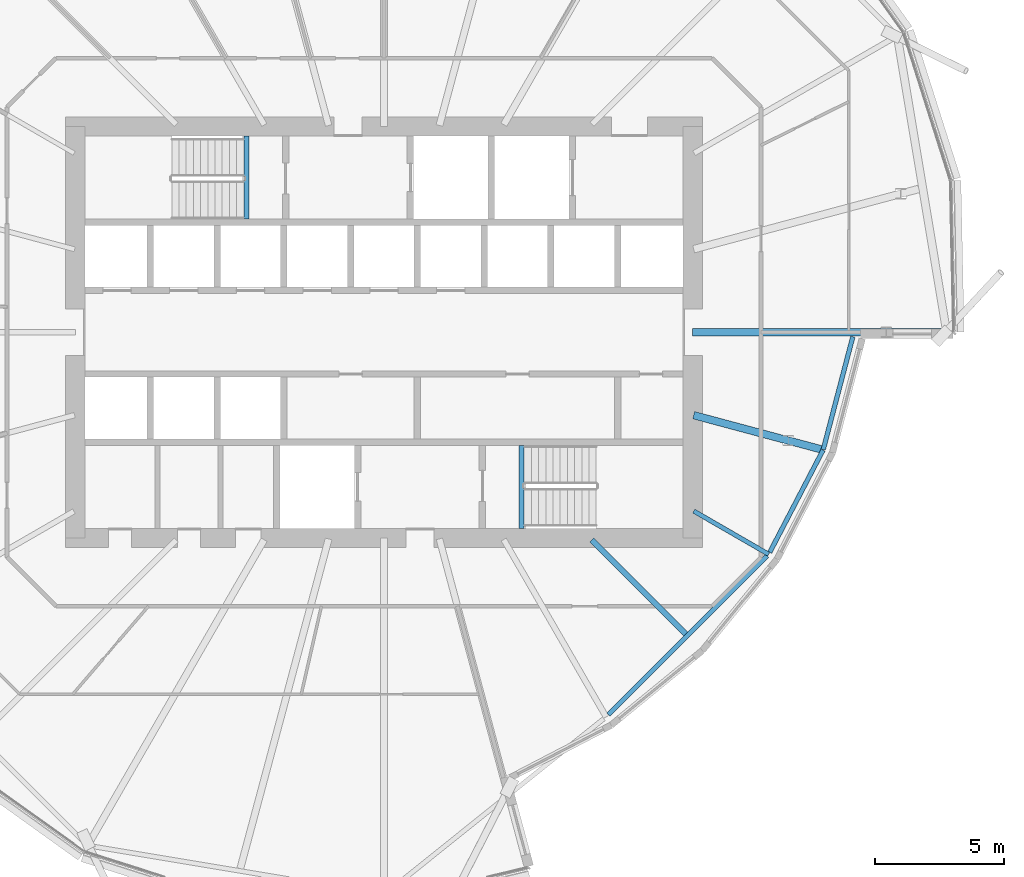
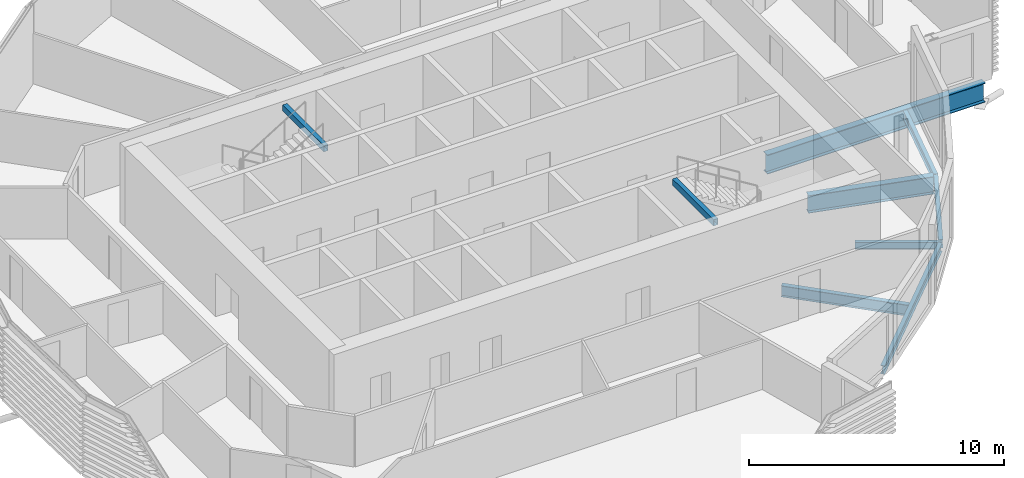
# One storey, part 14 of 39: 9 beams.
"""IFC4 building model written with IfcOpenShell, lengths in metres."""

from ifc_helpers import new_model, si_unit, direction, frame, origin, origin_2d, place, context, subcontext, project, spatial, hollow_rectangle, i_section, extrude, material, material_profile, profile_set, type_object, element, save


model = new_model("IFC4")

# Units and contexts
model_context = context("Model", 3, precision=1e-05, world=origin(), true_north=direction((0.0, 1.0)))
body_context = subcontext(model_context, "Body", "Model", "MODEL_VIEW")
ifc_project = project(units=[si_unit("LENGTHUNIT", "METRE"), si_unit("AREAUNIT", "SQUARE_METRE"), si_unit("VOLUMEUNIT", "CUBIC_METRE"), si_unit("PLANEANGLEUNIT", "RADIAN"), si_unit("MASSUNIT", "GRAM", prefix="KILO")], contexts=[model_context])

# Site, building, storey
site_placement = place(None, origin())
site = spatial("IfcSite", under=ifc_project, at=site_placement, CompositionType="ELEMENT")
building_placement = place(site_placement, origin())
building = spatial("IfcBuilding", under=site, at=building_placement, Name="Rimbun Link Towers", CompositionType="ELEMENT")
storey_placement = place(building_placement, frame((0.0, 0.0, 100.60009765625)))
storey = spatial("IfcBuildingStorey", under=building, at=storey_placement, Name="L24", CompositionType="ELEMENT", Elevation=100.60009765625)

# Beams
ifc_material_1 = material(Name="Steel S355J2", Category="steel")
ifc_material_profile_1 = material_profile(ifc_material_1, hollow_rectangle(XDim=0.199951171875, YDim=0.300048828125, WallThickness=0.011962890625, at=origin_2d()), Name="BOX 300x200x12")
ifc_profile_set_1 = profile_set([ifc_material_profile_1], Name="Steel S355J2")
beam_type_1 = type_object("IfcBeamType", Name="Stair trimmer beam BOX 300x200x12", PredefinedType="BEAM", material=ifc_profile_set_1)
for number, where, z_axis, x_axis, name in (
    (1, (26.39990234375, 7.625, 3.489990234375), (0.0, -1.0, 0.0), (1.0, 0.0, 0.0), "L24 ST3 stair beam 1"),
    (2, (37.10009765625, -7.625, 3.489990234375), (0.0, 1.0, 0.0), (-1.0, 0.0, 0.0), "L24 ST4 stair beam 1"),
):
    element("IfcBeam", number, at=place(storey_placement, frame(where, z_axis=z_axis, x_axis=x_axis)), inside=storey, type_object=beam_type_1, Name=name, PredefinedType="BEAM", context=body_context, shape_type="SweptSolid", body=[
        extrude(hollow_rectangle(XDim=0.199951171875, YDim=0.300048828125, WallThickness=0.011962890625, at=origin_2d()), origin(), (0.0, 0.0, 1.0), 3.22509765625),
    ])
ifc_material_2 = material(Name="Steel S355J2", Category="steel")
ifc_material_profile_2 = material_profile(ifc_material_2, i_section(OverallWidth=0.17138671875, OverallDepth=0.35498046875, WebThickness=0.00732421875, FlangeThickness=0.011474609375, at=origin_2d()), Name="UB 356x171x51")
ifc_profile_set_2 = profile_set([ifc_material_profile_2], Name="Steel S355J2")
beam_type_2 = type_object("IfcBeamType", Name="UB 356x171x51", PredefinedType="BEAM", material=ifc_profile_set_2)
beam_1_placement = place(storey_placement, frame((43.793701171875, -6.95361328125, -0.337646484375), z_axis=(0.866044043767, -0.499967713213, 0.0), x_axis=(0.499967713213, 0.866044043767, 0.0)))
element("IfcBeam", 3, at=beam_1_placement, inside=storey, type_object=beam_type_2, Name="Radial beam T2 L24 19", PredefinedType="BEAM", context=body_context, shape_type="SweptSolid", body=[
    extrude(i_section(OverallWidth=0.17138671875, OverallDepth=0.35498046875, WebThickness=0.00732421875, FlangeThickness=0.011474609375, at=origin_2d()), origin(), (0.0, 0.0, 1.0), 3.360595703125),
])
ifc_material_3 = material(Name="Steel S355J2", Category="steel")
ifc_material_profile_3 = material_profile(ifc_material_3, i_section(OverallWidth=0.177978515625, OverallDepth=0.406494140625, WebThickness=0.0078125, FlangeThickness=0.0126953125, at=origin_2d()), Name="UB 406x178x60")
ifc_profile_set_3 = profile_set([ifc_material_profile_3], Name="Steel S355J2")
beam_type_3 = type_object("IfcBeamType", Name="UB 406x178x60", PredefinedType="BEAM", material=ifc_profile_set_3)
beam_2_placement = place(storey_placement, frame((40.4677734375, -14.8701171875, -0.36328125), z_axis=(0.707106781187, 0.707106781187, 0.0), x_axis=(-0.707106781187, 0.707106781187, 0.0)))
element("IfcBeam", 4, at=beam_2_placement, inside=storey, type_object=beam_type_3, Name="Edge beam T2 L24 17-19", PredefinedType="BEAM", context=body_context, shape_type="SweptSolid", body=[
    extrude(i_section(OverallWidth=0.177978515625, OverallDepth=0.406494140625, WebThickness=0.0078125, FlangeThickness=0.0126953125, at=origin_2d()), origin(), (0.0, 0.0, 1.0), 8.729736328125),
])
beam_3_placement = place(storey_placement, frame((46.74609375, -8.553466796875, -0.36328125), z_axis=(0.462439271647, 0.886650957276, 0.0), x_axis=(-0.886650957276, 0.462439271647, 0.0)))
element("IfcBeam", 5, at=beam_3_placement, inside=storey, type_object=beam_type_3, Name="Edge beam T2 L24 19 recess", PredefinedType="BEAM", context=body_context, shape_type="SweptSolid", body=[
    extrude(i_section(OverallWidth=0.177978515625, OverallDepth=0.406494140625, WebThickness=0.0078125, FlangeThickness=0.0126953125, at=origin_2d()), origin(), (0.0, 0.0, 1.0), 4.47705078125),
])
beam_4_placement = place(storey_placement, frame((48.824462890625, -4.563720703125, -0.36328125), z_axis=(0.253526095329, 0.967328547592, 0.0), x_axis=(-0.967328547592, 0.253526095329, 0.0)))
element("IfcBeam", 6, at=beam_4_placement, inside=storey, type_object=beam_type_3, Name="Edge beam T2 L24 20 recess", PredefinedType="BEAM", context=body_context, shape_type="SweptSolid", body=[
    extrude(i_section(OverallWidth=0.177978515625, OverallDepth=0.406494140625, WebThickness=0.0078125, FlangeThickness=0.0126953125, at=origin_2d()), origin(), (0.0, 0.0, 1.0), 4.53564453125),
])
ifc_material_4 = material(Name="Steel S355J2", Category="steel")
ifc_material_profile_4 = material_profile(ifc_material_4, i_section(OverallWidth=0.209228515625, OverallDepth=0.533203125, WebThickness=0.010009765625, FlangeThickness=0.015625, at=origin_2d()), Name="UB 533x210x92")
ifc_profile_set_4 = profile_set([ifc_material_profile_4], Name="Steel S355J2")
beam_type_4 = type_object("IfcBeamType", Name="UB 533x210x92", PredefinedType="BEAM", material=ifc_profile_set_4)
beam_5_placement = place(storey_placement, frame((39.82470703125, -8.07470703125, -0.426513671875), z_axis=(0.707106781187, -0.707106781187, 0.0), x_axis=(0.707106781187, 0.707106781187, 0.0)))
element("IfcBeam", 7, at=beam_5_placement, inside=storey, type_object=beam_type_4, Name="Radial beam T2 L24 18", PredefinedType="BEAM", context=body_context, shape_type="SweptSolid", body=[
    extrude(i_section(OverallWidth=0.209228515625, OverallDepth=0.533203125, WebThickness=0.010009765625, FlangeThickness=0.015625, at=origin_2d()), origin(), (0.0, 0.0, 1.0), 5.169921875),
])
ifc_material_5 = material(Name="Steel S355J2", Category="steel")
ifc_material_profile_5 = material_profile(ifc_material_5, i_section(OverallWidth=0.29248046875, OverallDepth=0.8408203125, WebThickness=0.0126953125, FlangeThickness=0.021728515625, at=origin_2d()), Name="UB 838x292x194")
ifc_profile_set_5 = profile_set([ifc_material_profile_5], Name="Steel S355J2")
beam_type_5 = type_object("IfcBeamType", Name="UB 838x292x194", PredefinedType="BEAM", material=ifc_profile_set_5)
beam_6_placement = place(storey_placement, frame((43.788818359375, -3.225830078125, -0.58056640625), z_axis=(0.965935920163, -0.258781371315, 0.0), x_axis=(0.258781371315, 0.965935920163, 0.0)))
element("IfcBeam", 8, at=beam_6_placement, inside=storey, type_object=beam_type_5, Name="Radial beam T2 L24 20", PredefinedType="BEAM", context=body_context, shape_type="SweptSolid", body=[
    extrude(i_section(OverallWidth=0.29248046875, OverallDepth=0.8408203125, WebThickness=0.0126953125, FlangeThickness=0.021728515625, at=origin_2d()), origin(), (0.0, 0.0, 1.0), 5.119873046875),
])
ifc_material_6 = material(Name="Steel S355J2", Category="steel")
ifc_material_profile_6 = material_profile(ifc_material_6, i_section(OverallWidth=0.305419921875, OverallDepth=0.91845703125, WebThickness=0.017333984375, FlangeThickness=0.02783203125, at=origin_2d()), Name="UB 914x305x253")
ifc_profile_set_6 = profile_set([ifc_material_profile_6], Name="Steel S355J2")
beam_type_6 = type_object("IfcBeamType", Name="UB 914x305x253", PredefinedType="BEAM", material=ifc_profile_set_6)
beam_7_placement = place(storey_placement, frame((43.7509765625, 0.0, -0.619384765625), z_axis=(1.0, 0.0, 0.0), x_axis=(0.0, 1.0, 0.0)))
element("IfcBeam", 9, at=beam_7_placement, inside=storey, type_object=beam_type_6, Name="Radial beam T2 L24 21", PredefinedType="BEAM", context=body_context, shape_type="SweptSolid", body=[
    extrude(i_section(OverallWidth=0.305419921875, OverallDepth=0.91845703125, WebThickness=0.017333984375, FlangeThickness=0.02783203125, at=origin_2d()), origin(), (0.0, 0.0, 1.0), 9.870849609375),
])

save(model, "model.ifc")
